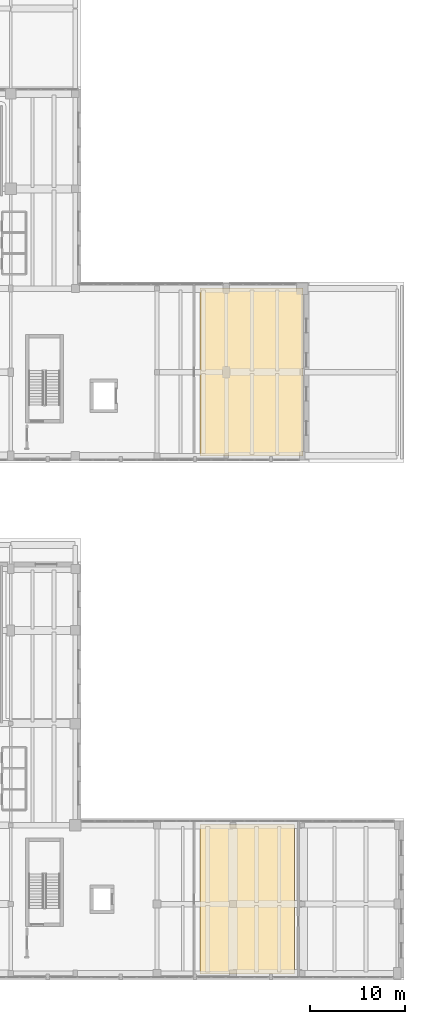
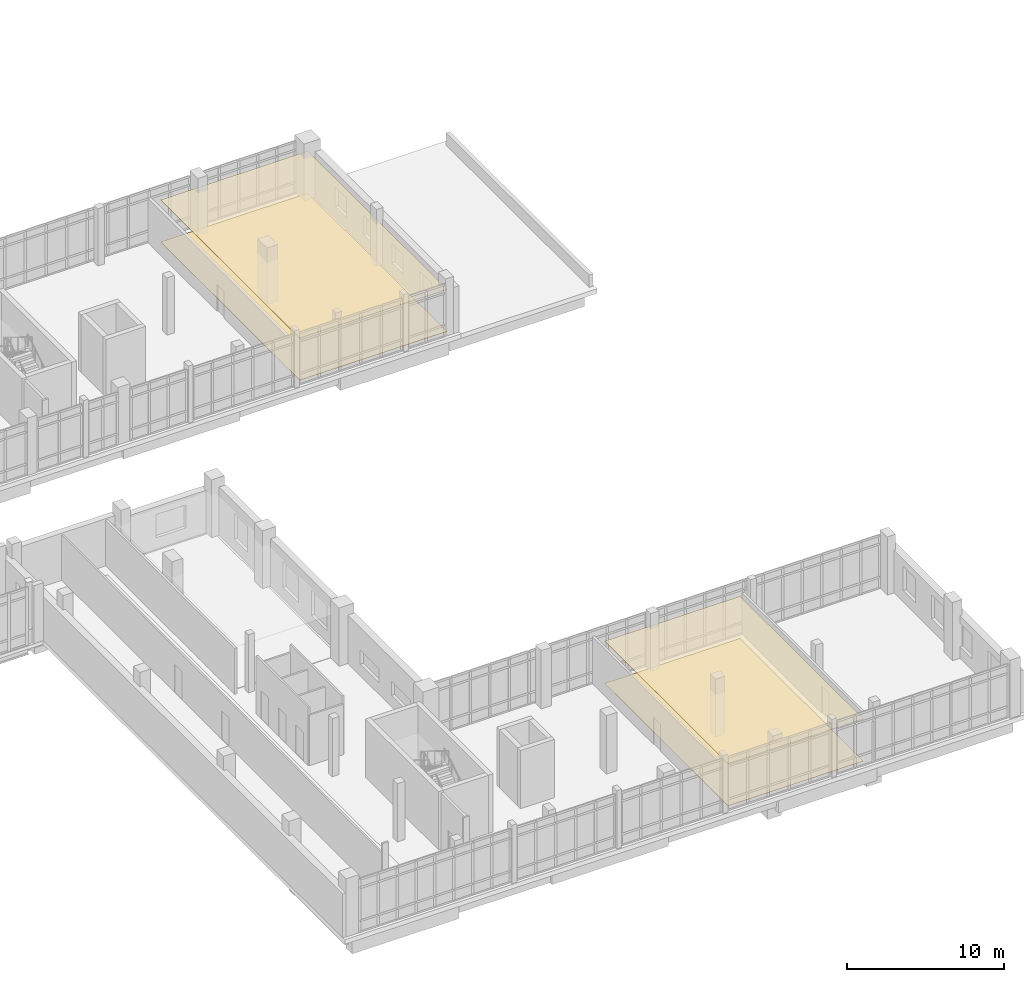
# One storey, part 88 of 89: 4 coverings.
"""IFC4 building model written with IfcOpenShell, lengths in metres."""

from ifc_helpers import new_model, si_unit, direction, frame, origin, place, context, subcontext, project, spatial, polyline, outline, extrude, material, layer, layer_set, type_object, element, save


model = new_model("IFC4")

# Units and contexts
model_context = context("Model", 3, precision=1e-05, world=origin(), true_north=direction((0.0, 1.0)))
body_context = subcontext(model_context, "Body", "Model", "MODEL_VIEW")
ifc_project = project(units=[si_unit("LENGTHUNIT", "METRE"), si_unit("AREAUNIT", "SQUARE_METRE"), si_unit("VOLUMEUNIT", "CUBIC_METRE"), si_unit("PLANEANGLEUNIT", "RADIAN"), si_unit("MASSUNIT", "GRAM", prefix="KILO")], contexts=[model_context])

# Site, building, storey
site_placement = place(None, origin())
site = spatial("IfcSite", under=ifc_project, at=site_placement, CompositionType="ELEMENT")
building_placement = place(site_placement, origin())
building = spatial("IfcBuilding", under=site, at=building_placement, Name="Soyqirgoq Riverine Aquarium", CompositionType="ELEMENT")
storey_placement = place(building_placement, frame((0.0, 0.0, 5.39990234375)))
storey = spatial("IfcBuildingStorey", under=building, at=storey_placement, Name="L02", CompositionType="ELEMENT", Elevation=5.39990234375)

# Coverings
ifc_material_1 = material(Name="Perforated mineral-fibre acoustic ceiling", Category="gypsum")
ifc_layer_1 = layer(ifc_material_1, 0.050048828125)
ifc_layer_set_1 = layer_set([ifc_layer_1], Name="Perforated mineral-fibre acoustic ceiling")
covering_type_1 = type_object("IfcCoveringType", Name="AcousticBaffleCeiling_50", PredefinedType="CEILING", material=ifc_layer_set_1)
covering_1_placement = place(storey_placement, frame((0.0, 0.0, 3.25)))
element("IfcCovering", 1, at=covering_1_placement, inside=storey, type_object=covering_type_1, Name="Invertebrate Isolation Room Suspended Ceiling", PredefinedType="CEILING", context=body_context, shape_type="SweptSolid", body=[
    extrude(outline(polyline([(153.35009765625, 74.35009765625), (153.35009765625, 56.64990234375), (142.530029296875, 56.64990234375), (142.530029296875, 74.35009765625), (153.35009765625, 74.35009765625)])), origin(), (0.0, 0.0, 1.0), 0.050048828125),
])
ifc_material_2 = material(Name="Seamless slip-resistant marine epoxy flooring", Category="concrete")
ifc_layer_2 = layer(ifc_material_2, 0.02001953125)
ifc_layer_set_2 = layer_set([ifc_layer_2], Name="Seamless slip-resistant marine epoxy flooring")
covering_type_2 = type_object("IfcCoveringType", Name="EpoxyWetFloorFinish_20", PredefinedType="FLOORING", material=ifc_layer_set_2)
covering_2_placement = place(storey_placement, origin())
element("IfcCovering", 2, at=covering_2_placement, inside=storey, type_object=covering_type_2, Name="Wet Teaching Laboratory Floor Finish", PredefinedType="FLOORING", context=body_context, shape_type="SweptSolid", body=[
    extrude(outline(polyline([(152.469970703125, 17.85009765625), (152.469970703125, 2.14990234375), (142.530029296875, 2.14990234375), (142.530029296875, 17.85009765625), (152.469970703125, 17.85009765625)])), origin(), (0.0, 0.0, 1.0), 0.02001953125),
])
ifc_material_3 = material(Name="Anodised aluminium marine moisture-resistant ceiling", Category="aluminium")
ifc_layer_3 = layer(ifc_material_3, 0.0400390625)
ifc_layer_set_3 = layer_set([ifc_layer_3], Name="Anodised aluminium marine moisture-resistant ceiling")
covering_type_3 = type_object("IfcCoveringType", Name="MoistureCeiling_40", PredefinedType="CEILING", material=ifc_layer_set_3)
covering_3_placement = place(storey_placement, frame((0.0, 0.0, 3.260009765625)))
element("IfcCovering", 3, at=covering_3_placement, inside=storey, type_object=covering_type_3, Name="Wet Teaching Laboratory Suspended Ceiling", PredefinedType="CEILING", context=body_context, shape_type="SweptSolid", body=[
    extrude(outline(polyline([(152.469970703125, 17.85009765625), (152.469970703125, 2.14990234375), (142.530029296875, 2.14990234375), (142.530029296875, 17.85009765625), (152.469970703125, 17.85009765625)])), origin(), (0.0, 0.0, 1.0), 0.0400390625),
])
ifc_material_4 = material(Name="Polished Chirchiq river-pebble terrazzo flooring", Category="concrete")
ifc_layer_4 = layer(ifc_material_4, 0.030029296875)
ifc_layer_set_4 = layer_set([ifc_layer_4], Name="Polished Chirchiq river-pebble terrazzo flooring")
covering_type_4 = type_object("IfcCoveringType", Name="TerrazzoFloorFinish_30", PredefinedType="FLOORING", material=ifc_layer_set_4)
covering_4_placement = place(storey_placement, origin())
element("IfcCovering", 4, at=covering_4_placement, inside=storey, type_object=covering_type_4, Name="Invertebrate Isolation Room Floor Finish", PredefinedType="FLOORING", context=body_context, shape_type="SweptSolid", body=[
    extrude(outline(polyline([(153.35009765625, 74.35009765625), (153.35009765625, 56.64990234375), (142.530029296875, 56.64990234375), (142.530029296875, 74.35009765625), (153.35009765625, 74.35009765625)])), origin(), (0.0, 0.0, 1.0), 0.030029296875),
])

save(model, "model.ifc")
